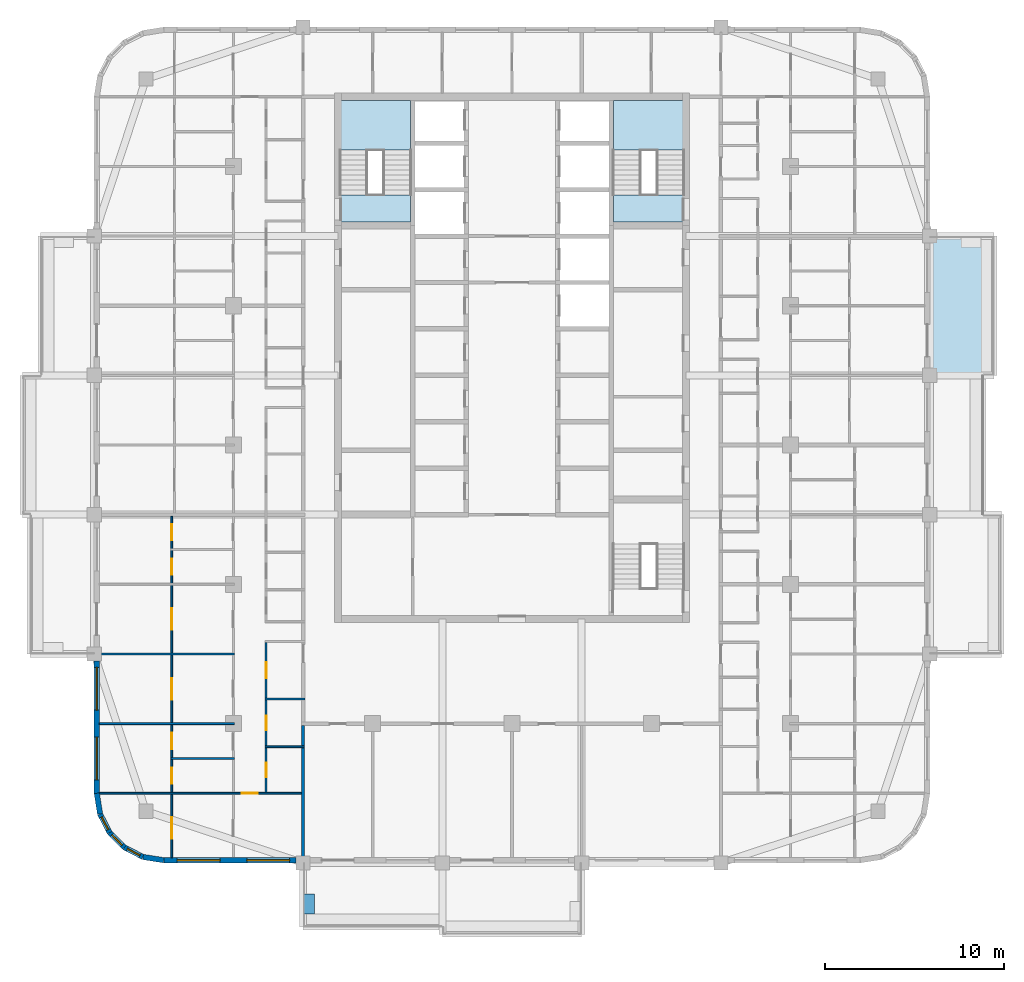
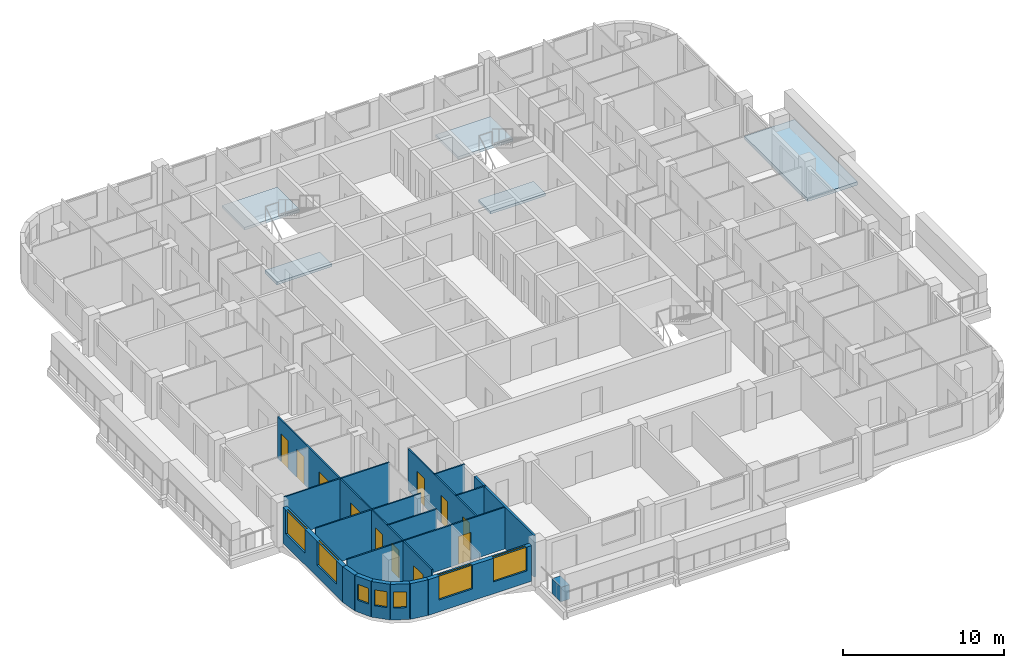
# One storey, part 2 of 16: 17 walls, 11 doors, 7 windows, 5 slabs, 18 openings, 2 elements without a shape of their own.
"""IFC4 building model written with IfcOpenShell, lengths in metres."""

from ifc_helpers import new_model, si_unit, direction, frame, frame_2d, origin, place, context, subcontext, project, spatial, polyline, rectangle, outline, extrude, material, layer, layer_set, type_object, element, fill, aggregate, save


model = new_model("IFC4")

# Units and contexts
model_context = context("Model", 3, precision=1e-05, world=origin(), true_north=direction((0.0, 1.0)))
body_context = subcontext(model_context, "Body", "Model", "MODEL_VIEW")
ifc_project = project(units=[si_unit("LENGTHUNIT", "METRE"), si_unit("AREAUNIT", "SQUARE_METRE"), si_unit("VOLUMEUNIT", "CUBIC_METRE"), si_unit("PLANEANGLEUNIT", "RADIAN"), si_unit("MASSUNIT", "GRAM", prefix="KILO")], contexts=[model_context])

# Site, building, storey
site_placement = place(None, origin())
site = spatial("IfcSite", under=ifc_project, at=site_placement, CompositionType="ELEMENT")
building_placement = place(site_placement, origin())
building = spatial("IfcBuilding", under=site, at=building_placement, Name="Ludao Terraces", CompositionType="ELEMENT")
storey_placement = place(building_placement, frame((0.0, 0.0, 214.300048828125)))
storey = spatial("IfcBuildingStorey", under=building, at=storey_placement, Name="L58", CompositionType="ELEMENT", Elevation=214.300048828125)

# Slab
ifc_material_1 = material(Name="Concrete C40", Category="concrete")
ifc_layer_1 = layer(ifc_material_1, 0.25)
ifc_layer_set_1 = layer_set([ifc_layer_1], Name="Balcony slab 250 C40")
slab_type_1 = type_object("IfcSlabType", Name="Balcony slab 250 C40", PredefinedType="USERDEFINED", material=ifc_layer_set_1)
slab_1_placement = place(storey_placement, frame((0.0, 0.0, -0.25)))
element("IfcSlab", 1, at=slab_1_placement, inside=storey, type_object=slab_type_1, Name="Balcony L58 E3", ObjectType="BALCONY", PredefinedType="USERDEFINED", context=body_context, shape_type="SweptSolid", body=[
    extrude(outline(polyline([(108.39990234375, 68.89990234375), (112.0, 68.89990234375), (112.0, 76.699951171875), (108.39990234375, 76.699951171875), (108.39990234375, 68.89990234375)])), origin(), (0.0, 0.0, 1.0), 0.25),
])

# Stair, slabs
stair_type = type_object("IfcStairType", Name="INT Stair", PredefinedType="HALF_TURN_STAIR", material=ifc_material_1)
stair_1_placement = place(storey_placement, origin())
stair_1 = element("IfcStair", 2, at=stair_1_placement, inside=storey, type_object=stair_type, Name="EXIT STAIR 1", PredefinedType="HALF_TURN_STAIR")
ifc_layer_2 = layer(ifc_material_1, 0.199951171875)
ifc_layer_set_2 = layer_set([ifc_layer_2], Name="INT Stair landing 200")
slab_type_2 = type_object("IfcSlabType", Name="INT Stair landing 200", PredefinedType="LANDING", material=ifc_layer_set_2)
slab_2_placement = place(storey_placement, frame((0.0, 0.0, 1.5)))
slab_2 = element("IfcSlab", 3, at=slab_2_placement, type_object=slab_type_2, Name="ST1 landing 1", PredefinedType="LANDING", context=body_context, shape_type="SweptSolid", body=[
    extrude(outline(polyline([(75.375, 81.52001953125), (79.324951171875, 81.52001953125), (79.324951171875, 84.300048828125), (75.375, 84.300048828125), (75.375, 81.52001953125)])), origin(), (0.0, 0.0, 1.0), 0.199951171875),
])
slab_3_placement = place(storey_placement, frame((0.0, 0.0, -0.199951171875)))
slab_3 = element("IfcSlab", 4, at=slab_3_placement, type_object=slab_type_2, Name="ST1 landing 2", PredefinedType="LANDING", context=body_context, shape_type="SweptSolid", body=[
    extrude(outline(polyline([(75.375, 77.5), (79.324951171875, 77.5), (79.324951171875, 79.0), (75.375, 79.0), (75.375, 77.5)])), origin(), (0.0, 0.0, 1.0), 0.199951171875),
])
aggregate(stair_1, [slab_2, slab_3])

stair_2_placement = place(storey_placement, origin())
stair_2 = element("IfcStair", 5, at=stair_2_placement, inside=storey, type_object=stair_type, Name="EXIT STAIR 2", PredefinedType="HALF_TURN_STAIR")
slab_4_placement = place(storey_placement, frame((0.0, 0.0, 1.5)))
slab_4 = element("IfcSlab", 6, at=slab_4_placement, type_object=slab_type_2, Name="ST2 landing 1", PredefinedType="LANDING", context=body_context, shape_type="SweptSolid", body=[
    extrude(outline(polyline([(90.675048828125, 81.52001953125), (94.625, 81.52001953125), (94.625, 84.300048828125), (90.675048828125, 84.300048828125), (90.675048828125, 81.52001953125)])), origin(), (0.0, 0.0, 1.0), 0.199951171875),
])
slab_5_placement = place(storey_placement, frame((0.0, 0.0, -0.199951171875)))
slab_5 = element("IfcSlab", 7, at=slab_5_placement, type_object=slab_type_2, Name="ST2 landing 2", PredefinedType="LANDING", context=body_context, shape_type="SweptSolid", body=[
    extrude(outline(polyline([(90.675048828125, 77.5), (94.625, 77.5), (94.625, 79.0), (90.675048828125, 79.0), (90.675048828125, 77.5)])), origin(), (0.0, 0.0, 1.0), 0.199951171875),
])
aggregate(stair_2, [slab_4, slab_5])

# Wall
ifc_layer_3 = layer(ifc_material_1, 0.60009765625)
ifc_layer_set_3 = layer_set([ifc_layer_3], Name="ENV Planter trough 600")
wall_type_1 = type_object("IfcWallType", Name="ENV Planter trough 600", PredefinedType="USERDEFINED", material=ifc_layer_set_3)
wall_1_placement = place(storey_placement, frame((73.64990234375, 38.75, 0.0), z_axis=(0.0, 0.0, 1.0), x_axis=(0.0, 1.0, 0.0)))
element("IfcWall", 8, at=wall_1_placement, inside=storey, type_object=wall_type_1, Name="PL-L58-S1-SA", ObjectType="PLANTER", PredefinedType="USERDEFINED", context=body_context, shape_type="SweptSolid", body=[
    extrude(rectangle(XDim=1.10009765625, YDim=0.60009765625, at=frame_2d((0.550048828125, 0.0))), origin(), (0.0, 0.0, 1.0), 1.099853515625),
])

# Wall, openings, windows
ifc_material_2 = material(Name="Granite cladding", Category="masonry")
ifc_layer_4 = layer(ifc_material_2, 0.0400390625, Category="stone")
ifc_material_3 = material(Name="Mineral wool")
ifc_layer_5 = layer(ifc_material_3, 0.06005859375)
ifc_layer_6 = layer(ifc_material_1, 0.199951171875, Category="concrete")
ifc_layer_set_4 = layer_set([ifc_layer_4, ifc_layer_5, ifc_layer_6], Name="ENV Stone-clad wall 300")
wall_type_2 = type_object("IfcWallType", Name="ENV Stone-clad wall 300", PredefinedType="SOLIDWALL", material=ifc_layer_set_4)
wall_2_placement = place(storey_placement, frame((65.5, 41.75, 0.0), z_axis=(0.0, 0.0, 1.0), x_axis=(1.0, 0.0, 0.0)))
wall_2 = element("IfcWall", 9, at=wall_2_placement, inside=storey, type_object=wall_type_2, Name="EW-L58-S1", PredefinedType="SOLIDWALL", context=body_context, shape_type="SweptSolid", body=[
    extrude(rectangle(XDim=7.39990234375, YDim=0.300048828125, at=frame_2d((3.699951171875, 0.0))), origin(), (0.0, 0.0, 1.0), 2.699951171875),
])
opening_1_placement = place(wall_2_placement, frame((0.75, 0.0, 0.89990234375)))
opening_1 = element("IfcOpeningElement", 10, at=opening_1_placement, cuts=wall_2, Name="Opening W1", PredefinedType="OPENING", context=body_context, shape_type="SweptSolid", body=[
    extrude(rectangle(XDim=2.39990234375, YDim=1.800048828125, at=frame_2d((1.199951171875, 0.89990234375))), frame((0.0, 0.16015625, 0.0), z_axis=(0.0, -1.0, 0.0), x_axis=(1.0, 0.0, 0.0)), (0.0, 0.0, 1.0), 0.320068359375),
])
opening_2_placement = place(wall_2_placement, frame((4.64990234375, 0.0, 0.89990234375)))
opening_2 = element("IfcOpeningElement", 11, at=opening_2_placement, cuts=wall_2, Name="Opening W1", PredefinedType="OPENING", context=body_context, shape_type="SweptSolid", body=[
    extrude(rectangle(XDim=2.39990234375, YDim=1.800048828125, at=frame_2d((1.199951171875, 0.89990234375))), frame((0.0, 0.16015625, 0.0), z_axis=(0.0, -1.0, 0.0), x_axis=(1.0, 0.0, 0.0)), (0.0, 0.0, 1.0), 0.320068359375),
])
ifc_material_4 = material(Name="Clear glass in aluminium frame", Category="aluminium")
ifc_layer_7 = layer(ifc_material_4, 0.06005859375)
ifc_layer_set_5 = layer_set([ifc_layer_7], Name="ENV Window W1 2400x1800")
window_type_1 = type_object("IfcWindowType", Name="ENV Window W1 2400x1800", PartitioningType="DOUBLE_PANEL_VERTICAL", PredefinedType="WINDOW", material=ifc_layer_set_5)
window_1_placement = place(opening_1_placement, origin())
window_1 = element("IfcWindow", 12, at=window_1_placement, inside=storey, type_object=window_type_1, Name="W-L58-S1-1", OverallHeight=1.800048828125, OverallWidth=2.39990234375, PartitioningType="DOUBLE_PANEL_VERTICAL", PredefinedType="WINDOW", context=body_context, shape_type="SweptSolid", body=[
    extrude(rectangle(XDim=2.39990234375, YDim=1.800048828125, at=frame_2d((1.199951171875, 0.89990234375))), frame((0.0, 0.030029296875, 0.0), z_axis=(0.0, -1.0, 0.0), x_axis=(1.0, 0.0, 0.0)), (0.0, 0.0, 1.0), 0.06005859375),
])
fill(opening_1, window_1)
window_2_placement = place(opening_2_placement, origin())
window_2 = element("IfcWindow", 13, at=window_2_placement, inside=storey, type_object=window_type_1, Name="W-L58-S1-2", OverallHeight=1.800048828125, OverallWidth=2.39990234375, PartitioningType="DOUBLE_PANEL_VERTICAL", PredefinedType="WINDOW", context=body_context, shape_type="SweptSolid", body=[
    extrude(rectangle(XDim=2.39990234375, YDim=1.800048828125, at=frame_2d((1.199951171875, 0.89990234375))), frame((0.0, 0.030029296875, 0.0), z_axis=(0.0, -1.0, 0.0), x_axis=(1.0, 0.0, 0.0)), (0.0, 0.0, 1.0), 0.06005859375),
])
fill(opening_2, window_2)

wall_3_placement = place(storey_placement, frame((61.75, 45.5, 0.0), z_axis=(0.0, 0.0, 1.0), x_axis=(0.0, 1.0, 0.0)))
wall_3 = element("IfcWall", 14, at=wall_3_placement, inside=storey, type_object=wall_type_2, Name="EW-L58-W1", PredefinedType="SOLIDWALL", context=body_context, shape_type="SweptSolid", body=[
    extrude(rectangle(XDim=7.39990234375, YDim=0.300048828125, at=frame_2d((3.699951171875, 0.0))), origin(), (0.0, 0.0, 1.0), 2.699951171875),
])
opening_3_placement = place(wall_3_placement, frame((0.75, 0.0, 0.89990234375)))
opening_3 = element("IfcOpeningElement", 15, at=opening_3_placement, cuts=wall_3, Name="Opening W1", PredefinedType="OPENING", context=body_context, shape_type="SweptSolid", body=[
    extrude(rectangle(XDim=2.39990234375, YDim=1.800048828125, at=frame_2d((1.199951171875, 0.89990234375))), frame((0.0, 0.16015625, 0.0), z_axis=(0.0, -1.0, 0.0), x_axis=(1.0, 0.0, 0.0)), (0.0, 0.0, 1.0), 0.320068359375),
])
opening_4_placement = place(wall_3_placement, frame((4.64990234375, 0.0, 0.89990234375)))
opening_4 = element("IfcOpeningElement", 16, at=opening_4_placement, cuts=wall_3, Name="Opening W1", PredefinedType="OPENING", context=body_context, shape_type="SweptSolid", body=[
    extrude(rectangle(XDim=2.39990234375, YDim=1.800048828125, at=frame_2d((1.199951171875, 0.89990234375))), frame((0.0, 0.16015625, 0.0), z_axis=(0.0, -1.0, 0.0), x_axis=(1.0, 0.0, 0.0)), (0.0, 0.0, 1.0), 0.320068359375),
])
window_3_placement = place(opening_3_placement, origin())
window_3 = element("IfcWindow", 17, at=window_3_placement, inside=storey, type_object=window_type_1, Name="W-L58-W1-1", OverallHeight=1.800048828125, OverallWidth=2.39990234375, PartitioningType="DOUBLE_PANEL_VERTICAL", PredefinedType="WINDOW", context=body_context, shape_type="SweptSolid", body=[
    extrude(rectangle(XDim=2.39990234375, YDim=1.800048828125, at=frame_2d((1.199951171875, 0.89990234375))), frame((0.0, 0.030029296875, 0.0), z_axis=(0.0, -1.0, 0.0), x_axis=(1.0, 0.0, 0.0)), (0.0, 0.0, 1.0), 0.06005859375),
])
fill(opening_3, window_3)
window_4_placement = place(opening_4_placement, origin())
window_4 = element("IfcWindow", 18, at=window_4_placement, inside=storey, type_object=window_type_1, Name="W-L58-W1-2", OverallHeight=1.800048828125, OverallWidth=2.39990234375, PartitioningType="DOUBLE_PANEL_VERTICAL", PredefinedType="WINDOW", context=body_context, shape_type="SweptSolid", body=[
    extrude(rectangle(XDim=2.39990234375, YDim=1.800048828125, at=frame_2d((1.199951171875, 0.89990234375))), frame((0.0, 0.030029296875, 0.0), z_axis=(0.0, -1.0, 0.0), x_axis=(1.0, 0.0, 0.0)), (0.0, 0.0, 1.0), 0.06005859375),
])
fill(opening_4, window_4)

# Wall
wall_4_placement = place(storey_placement, frame((61.75, 45.5, 0.0), z_axis=(0.0, 0.0, 1.0), x_axis=(0.156496880861, -0.987678452879, 0.0)))
element("IfcWall", 19, at=wall_4_placement, inside=storey, type_object=wall_type_2, Name="EW-L58-SW1", PredefinedType="SOLIDWALL", context=body_context, shape_type="SweptSolid", body=[
    extrude(rectangle(XDim=1.173095703125, YDim=0.300048828125, at=frame_2d((0.58642578125, 0.0))), origin(), (0.0, 0.0, 1.0), 2.699951171875),
])

# Wall, opening, window
wall_5_placement = place(storey_placement, frame((61.93359375, 44.34130859375, 0.0), z_axis=(0.0, 0.0, 1.0), x_axis=(0.454025524128, -0.890988677504, 0.0)))
wall_5 = element("IfcWall", 20, at=wall_5_placement, inside=storey, type_object=wall_type_2, Name="EW-L58-SW2", PredefinedType="SOLIDWALL", context=body_context, shape_type="SweptSolid", body=[
    extrude(rectangle(XDim=1.17333984375, YDim=0.300048828125, at=frame_2d((0.586669921875, 0.0))), origin(), (0.0, 0.0, 1.0), 2.699951171875),
])
opening_5_placement = place(wall_5_placement, frame((0.1865234375, 0.0, 0.89990234375)))
opening_5 = element("IfcOpeningElement", 21, at=opening_5_placement, cuts=wall_5, Name="Opening W3", PredefinedType="OPENING", context=body_context, shape_type="SweptSolid", body=[
    extrude(rectangle(XDim=0.800048828125, YDim=1.199951171875, at=frame_2d((0.39990234375, 0.60009765625))), frame((0.0, 0.16015625, 0.0), z_axis=(0.0, -1.0, 0.0), x_axis=(1.0, 0.0, 0.0)), (0.0, 0.0, 1.0), 0.320068359375),
])
ifc_layer_8 = layer(ifc_material_4, 0.06005859375)
ifc_layer_set_6 = layer_set([ifc_layer_8], Name="ENV Window W3 800x1200")
window_type_2 = type_object("IfcWindowType", Name="ENV Window W3 800x1200", PartitioningType="SINGLE_PANEL", PredefinedType="WINDOW", material=ifc_layer_set_6)
window_5_placement = place(opening_5_placement, origin())
window_5 = element("IfcWindow", 22, at=window_5_placement, inside=storey, type_object=window_type_2, Name="W-L58-SW2", OverallHeight=1.199951171875, OverallWidth=0.800048828125, PartitioningType="SINGLE_PANEL", PredefinedType="WINDOW", context=body_context, shape_type="SweptSolid", body=[
    extrude(rectangle(XDim=0.800048828125, YDim=1.199951171875, at=frame_2d((0.39990234375, 0.60009765625))), frame((0.0, 0.030029296875, 0.0), z_axis=(0.0, -1.0, 0.0), x_axis=(1.0, 0.0, 0.0)), (0.0, 0.0, 1.0), 0.06005859375),
])
fill(opening_5, window_5)

wall_6_placement = place(storey_placement, frame((62.46630859375, 43.2958984375, 0.0), z_axis=(0.0, 0.0, 1.0), x_axis=(0.707106781187, -0.707106781187, 0.0)))
wall_6 = element("IfcWall", 23, at=wall_6_placement, inside=storey, type_object=wall_type_2, Name="EW-L58-SW3", PredefinedType="SOLIDWALL", context=body_context, shape_type="SweptSolid", body=[
    extrude(rectangle(XDim=1.173095703125, YDim=0.300048828125, at=frame_2d((0.58642578125, 0.0))), origin(), (0.0, 0.0, 1.0), 2.699951171875),
])
opening_6_placement = place(wall_6_placement, frame((0.1865234375, 0.0, 0.89990234375)))
opening_6 = element("IfcOpeningElement", 24, at=opening_6_placement, cuts=wall_6, Name="Opening W3", PredefinedType="OPENING", context=body_context, shape_type="SweptSolid", body=[
    extrude(rectangle(XDim=0.800048828125, YDim=1.199951171875, at=frame_2d((0.39990234375, 0.60009765625))), frame((0.0, 0.16015625, 0.0), z_axis=(0.0, -1.0, 0.0), x_axis=(1.0, 0.0, 0.0)), (0.0, 0.0, 1.0), 0.320068359375),
])
window_6_placement = place(opening_6_placement, origin())
window_6 = element("IfcWindow", 25, at=window_6_placement, inside=storey, type_object=window_type_2, Name="W-L58-SW3", OverallHeight=1.199951171875, OverallWidth=0.800048828125, PartitioningType="SINGLE_PANEL", PredefinedType="WINDOW", context=body_context, shape_type="SweptSolid", body=[
    extrude(rectangle(XDim=0.800048828125, YDim=1.199951171875, at=frame_2d((0.39990234375, 0.60009765625))), frame((0.0, 0.030029296875, 0.0), z_axis=(0.0, -1.0, 0.0), x_axis=(1.0, 0.0, 0.0)), (0.0, 0.0, 1.0), 0.06005859375),
])
fill(opening_6, window_6)

wall_7_placement = place(storey_placement, frame((63.2958984375, 42.46630859375, 0.0), z_axis=(0.0, 0.0, 1.0), x_axis=(0.890988677504, -0.454025524128, 0.0)))
wall_7 = element("IfcWall", 26, at=wall_7_placement, inside=storey, type_object=wall_type_2, Name="EW-L58-SW4", PredefinedType="SOLIDWALL", context=body_context, shape_type="SweptSolid", body=[
    extrude(rectangle(XDim=1.17333984375, YDim=0.300048828125, at=frame_2d((0.586669921875, 0.0))), origin(), (0.0, 0.0, 1.0), 2.699951171875),
])
opening_7_placement = place(wall_7_placement, frame((0.1865234375, 0.0, 0.89990234375)))
opening_7 = element("IfcOpeningElement", 27, at=opening_7_placement, cuts=wall_7, Name="Opening W3", PredefinedType="OPENING", context=body_context, shape_type="SweptSolid", body=[
    extrude(rectangle(XDim=0.800048828125, YDim=1.199951171875, at=frame_2d((0.39990234375, 0.60009765625))), frame((0.0, 0.16015625, 0.0), z_axis=(0.0, -1.0, 0.0), x_axis=(1.0, 0.0, 0.0)), (0.0, 0.0, 1.0), 0.320068359375),
])
window_7_placement = place(opening_7_placement, origin())
window_7 = element("IfcWindow", 28, at=window_7_placement, inside=storey, type_object=window_type_2, Name="W-L58-SW4", OverallHeight=1.199951171875, OverallWidth=0.800048828125, PartitioningType="SINGLE_PANEL", PredefinedType="WINDOW", context=body_context, shape_type="SweptSolid", body=[
    extrude(rectangle(XDim=0.800048828125, YDim=1.199951171875, at=frame_2d((0.39990234375, 0.60009765625))), frame((0.0, 0.030029296875, 0.0), z_axis=(0.0, -1.0, 0.0), x_axis=(1.0, 0.0, 0.0)), (0.0, 0.0, 1.0), 0.06005859375),
])
fill(opening_7, window_7)

# Wall
wall_8_placement = place(storey_placement, frame((64.34130859375, 41.93359375, 0.0), z_axis=(0.0, 0.0, 1.0), x_axis=(0.987678452879, -0.156496880861, 0.0)))
element("IfcWall", 29, at=wall_8_placement, inside=storey, type_object=wall_type_2, Name="EW-L58-SW5", PredefinedType="SOLIDWALL", context=body_context, shape_type="SweptSolid", body=[
    extrude(rectangle(XDim=1.173095703125, YDim=0.300048828125, at=frame_2d((0.58642578125, 0.0))), origin(), (0.0, 0.0, 1.0), 2.699951171875),
])

# Wall, opening, door
ifc_material_5 = material(Name="Gypsum plasterboard", Category="gypsum")
ifc_layer_9 = layer(ifc_material_5, 0.012451171875, Category="gypsum")
ifc_layer_10 = layer(ifc_material_3, 0.06005859375, Name="insulation")
ifc_material_6 = material(Name="Steel Q235", Category="steel")
ifc_layer_11 = layer(ifc_material_6, 0.014892578125, Name="stud")
ifc_layer_12 = layer(ifc_material_5, 0.012451171875, Category="gypsum")
ifc_layer_set_7 = layer_set([ifc_layer_9, ifc_layer_10, ifc_layer_11, ifc_layer_12], Name="INT Partition 100")
wall_type_3 = type_object("IfcWallType", Name="INT Partition 100", PredefinedType="PARTITIONING", material=ifc_layer_set_7)
wall_9_placement = place(storey_placement, frame((61.900146484375, 45.5, 0.0), z_axis=(0.0, 0.0, 1.0), x_axis=(1.0, 0.0, 0.0)))
wall_9 = element("IfcWall", 30, at=wall_9_placement, inside=storey, type_object=wall_type_3, Name="PW-L58-PW000", PredefinedType="PARTITIONING", context=body_context, shape_type="SweptSolid", body=[
    extrude(rectangle(XDim=11.474853515625, YDim=0.10009765625, at=frame_2d((5.7373046875, 0.0))), origin(), (0.0, 0.0, 1.0), 3.14990234375),
])
opening_8_placement = place(wall_9_placement, frame((7.965087890625, 0.0, 0.0)))
opening_8 = element("IfcOpeningElement", 31, at=opening_8_placement, cuts=wall_9, Name="Opening R21-005", PredefinedType="OPENING", context=body_context, shape_type="SweptSolid", body=[
    extrude(rectangle(XDim=0.89990234375, YDim=2.10009765625, at=frame_2d((0.449951171875, 1.050048828125))), frame((0.0, 0.06005859375, 0.0), z_axis=(0.0, -1.0, 0.0), x_axis=(1.0, 0.0, 0.0)), (0.0, 0.0, 1.0), 0.1201171875),
])
ifc_material_7 = material(Name="Timber door leaf", Category="wood")
door_type_1 = type_object("IfcDoorType", Name="INT Room door 900", OperationType="SINGLE_SWING_LEFT", PredefinedType="DOOR", material=ifc_material_7)
door_1_placement = place(opening_8_placement, origin())
door_1 = element("IfcDoor", 32, at=door_1_placement, inside=storey, type_object=door_type_1, Name="DOOR 005", OperationType="SINGLE_SWING_LEFT", OverallHeight=2.10009765625, OverallWidth=0.89990234375, PredefinedType="DOOR", context=body_context, shape_type="SweptSolid", body=[
    extrude(rectangle(XDim=0.89990234375, YDim=2.10009765625, at=frame_2d((0.449951171875, 1.050048828125))), frame((0.0, 0.02490234375, 0.0), z_axis=(0.0, -1.0, 0.0), x_axis=(1.0, 0.0, 0.0)), (0.0, 0.0, 1.0), 0.050048828125),
])
fill(opening_8, door_1)

# Walls
wall_10_placement = place(storey_placement, frame((65.900146484375, 47.449951171875, 0.0), z_axis=(0.0, 0.0, 1.0), x_axis=(1.0, 0.0, 0.0)))
element("IfcWall", 33, at=wall_10_placement, inside=storey, type_object=wall_type_3, Name="PW-L58-PW002", PredefinedType="PARTITIONING", context=body_context, shape_type="SweptSolid", body=[
    extrude(rectangle(XDim=3.550048828125, YDim=0.10009765625, at=frame_2d((1.77490234375, 0.0))), origin(), (0.0, 0.0, 1.0), 3.14990234375),
])
wall_11_placement = place(storey_placement, frame((71.18017578125, 48.10009765625, 0.0), z_axis=(0.0, 0.0, 1.0), x_axis=(1.0, 0.0, 0.0)))
element("IfcWall", 34, at=wall_11_placement, inside=storey, type_object=wall_type_3, Name="PW-L58-PW004", PredefinedType="PARTITIONING", context=body_context, shape_type="SweptSolid", body=[
    extrude(rectangle(XDim=2.19482421875, YDim=0.10009765625, at=frame_2d((1.097412109375, 0.0))), origin(), (0.0, 0.0, 1.0), 3.14990234375),
])
wall_12_placement = place(storey_placement, frame((61.900146484375, 49.39990234375, 0.0), z_axis=(0.0, 0.0, 1.0), x_axis=(1.0, 0.0, 0.0)))
element("IfcWall", 35, at=wall_12_placement, inside=storey, type_object=wall_type_3, Name="PW-L58-PW006", PredefinedType="PARTITIONING", context=body_context, shape_type="SweptSolid", body=[
    extrude(rectangle(XDim=7.550048828125, YDim=0.10009765625, at=frame_2d((3.77490234375, 0.0))), origin(), (0.0, 0.0, 1.0), 3.14990234375),
])
wall_13_placement = place(storey_placement, frame((71.18017578125, 50.780029296875, 0.0), z_axis=(0.0, 0.0, 1.0), x_axis=(1.0, 0.0, 0.0)))
element("IfcWall", 36, at=wall_13_placement, inside=storey, type_object=wall_type_3, Name="PW-L58-PW010", PredefinedType="PARTITIONING", context=body_context, shape_type="SweptSolid", body=[
    extrude(rectangle(XDim=2.219970703125, YDim=0.10009765625, at=frame_2d((1.10986328125, 0.0))), origin(), (0.0, 0.0, 1.0), 3.14990234375),
])
wall_14_placement = place(storey_placement, frame((61.900146484375, 53.300048828125, 0.0), z_axis=(0.0, 0.0, 1.0), x_axis=(1.0, 0.0, 0.0)))
element("IfcWall", 37, at=wall_14_placement, inside=storey, type_object=wall_type_3, Name="PW-L58-PW012", PredefinedType="PARTITIONING", context=body_context, shape_type="SweptSolid", body=[
    extrude(rectangle(XDim=7.550048828125, YDim=0.10009765625, at=frame_2d((3.77490234375, 0.0))), origin(), (0.0, 0.0, 1.0), 3.14990234375),
])

# Wall, openings, doors
wall_15_placement = place(storey_placement, frame((65.949951171875, 41.900146484375, 0.0), z_axis=(0.0, 0.0, 1.0), x_axis=(0.0, 1.0, 0.0)))
wall_15 = element("IfcWall", 38, at=wall_15_placement, inside=storey, type_object=wall_type_3, Name="PW-L58-PW070", PredefinedType="PARTITIONING", context=body_context, shape_type="SweptSolid", body=[
    extrude(rectangle(XDim=19.099853515625, YDim=0.10009765625, at=frame_2d((9.5498046875, 0.0))), origin(), (0.0, 0.0, 1.0), 3.14990234375),
])
opening_9_placement = place(wall_15_placement, frame((1.050048828125, 0.0, 0.0)))
opening_9 = element("IfcOpeningElement", 39, at=opening_9_placement, cuts=wall_15, Name="Opening R21-001", PredefinedType="OPENING", context=body_context, shape_type="SweptSolid", body=[
    extrude(rectangle(XDim=1.199951171875, YDim=2.10009765625, at=frame_2d((0.60009765625, 1.050048828125))), frame((0.0, 0.06005859375, 0.0), z_axis=(0.0, -1.0, 0.0), x_axis=(1.0, 0.0, 0.0)), (0.0, 0.0, 1.0), 0.1201171875),
])
opening_10_placement = place(wall_15_placement, frame((4.125, 0.0, 0.0)))
opening_10 = element("IfcOpeningElement", 40, at=opening_10_placement, cuts=wall_15, Name="Opening R21-007", PredefinedType="OPENING", context=body_context, shape_type="SweptSolid", body=[
    extrude(rectangle(XDim=0.89990234375, YDim=2.10009765625, at=frame_2d((0.449951171875, 1.050048828125))), frame((0.0, 0.06005859375, 0.0), z_axis=(0.0, -1.0, 0.0), x_axis=(1.0, 0.0, 0.0)), (0.0, 0.0, 1.0), 0.1201171875),
])
opening_11_placement = place(wall_15_placement, frame((6.074951171875, 0.0, 0.0)))
opening_11 = element("IfcOpeningElement", 41, at=opening_11_placement, cuts=wall_15, Name="Opening R21-013", PredefinedType="OPENING", context=body_context, shape_type="SweptSolid", body=[
    extrude(rectangle(XDim=0.89990234375, YDim=2.10009765625, at=frame_2d((0.449951171875, 1.050048828125))), frame((0.0, 0.06005859375, 0.0), z_axis=(0.0, -1.0, 0.0), x_axis=(1.0, 0.0, 0.0)), (0.0, 0.0, 1.0), 0.1201171875),
])
opening_12_placement = place(wall_15_placement, frame((8.85009765625, 0.0, 0.0)))
opening_12 = element("IfcOpeningElement", 42, at=opening_12_placement, cuts=wall_15, Name="Opening R21-022", PredefinedType="OPENING", context=body_context, shape_type="SweptSolid", body=[
    extrude(rectangle(XDim=1.199951171875, YDim=2.10009765625, at=frame_2d((0.60009765625, 1.050048828125))), frame((0.0, 0.06005859375, 0.0), z_axis=(0.0, -1.0, 0.0), x_axis=(1.0, 0.0, 0.0)), (0.0, 0.0, 1.0), 0.1201171875),
])
opening_13_placement = place(wall_15_placement, frame((12.75, 0.0, 0.0)))
opening_13 = element("IfcOpeningElement", 43, at=opening_13_placement, cuts=wall_15, Name="Opening R21-031", PredefinedType="OPENING", context=body_context, shape_type="SweptSolid", body=[
    extrude(rectangle(XDim=1.199951171875, YDim=2.10009765625, at=frame_2d((0.60009765625, 1.050048828125))), frame((0.0, 0.06005859375, 0.0), z_axis=(0.0, -1.0, 0.0), x_axis=(1.0, 0.0, 0.0)), (0.0, 0.0, 1.0), 0.1201171875),
])
opening_14_placement = place(wall_15_placement, frame((15.824951171875, 0.0, 0.0)))
opening_14 = element("IfcOpeningElement", 44, at=opening_14_placement, cuts=wall_15, Name="Opening R21-043", PredefinedType="OPENING", context=body_context, shape_type="SweptSolid", body=[
    extrude(rectangle(XDim=0.89990234375, YDim=2.10009765625, at=frame_2d((0.449951171875, 1.050048828125))), frame((0.0, 0.06005859375, 0.0), z_axis=(0.0, -1.0, 0.0), x_axis=(1.0, 0.0, 0.0)), (0.0, 0.0, 1.0), 0.1201171875),
])
opening_15_placement = place(wall_15_placement, frame((17.77490234375, 0.0, 0.0)))
opening_15 = element("IfcOpeningElement", 45, at=opening_15_placement, cuts=wall_15, Name="Opening R21-047", PredefinedType="OPENING", context=body_context, shape_type="SweptSolid", body=[
    extrude(rectangle(XDim=0.89990234375, YDim=2.10009765625, at=frame_2d((0.449951171875, 1.050048828125))), frame((0.0, 0.06005859375, 0.0), z_axis=(0.0, -1.0, 0.0), x_axis=(1.0, 0.0, 0.0)), (0.0, 0.0, 1.0), 0.1201171875),
])
door_type_2 = type_object("IfcDoorType", Name="INT Bathroom door 900", OperationType="SINGLE_SWING_LEFT", PredefinedType="DOOR", material=ifc_material_7)
door_2_placement = place(opening_10_placement, origin())
door_2 = element("IfcDoor", 46, at=door_2_placement, inside=storey, type_object=door_type_2, Name="DOOR 007", OperationType="SINGLE_SWING_LEFT", OverallHeight=2.10009765625, OverallWidth=0.89990234375, PredefinedType="DOOR", context=body_context, shape_type="SweptSolid", body=[
    extrude(rectangle(XDim=0.89990234375, YDim=2.10009765625, at=frame_2d((0.449951171875, 1.050048828125))), frame((0.0, 0.02490234375, 0.0), z_axis=(0.0, -1.0, 0.0), x_axis=(1.0, 0.0, 0.0)), (0.0, 0.0, 1.0), 0.050048828125),
])
fill(opening_10, door_2)
door_3_placement = place(opening_14_placement, origin())
door_3 = element("IfcDoor", 47, at=door_3_placement, inside=storey, type_object=door_type_2, Name="DOOR 043", OperationType="SINGLE_SWING_LEFT", OverallHeight=2.10009765625, OverallWidth=0.89990234375, PredefinedType="DOOR", context=body_context, shape_type="SweptSolid", body=[
    extrude(rectangle(XDim=0.89990234375, YDim=2.10009765625, at=frame_2d((0.449951171875, 1.050048828125))), frame((0.0, 0.02490234375, 0.0), z_axis=(0.0, -1.0, 0.0), x_axis=(1.0, 0.0, 0.0)), (0.0, 0.0, 1.0), 0.050048828125),
])
fill(opening_14, door_3)
door_type_3 = type_object("IfcDoorType", Name="INT Double door 1200", OperationType="DOUBLE_DOOR_SINGLE_SWING", PredefinedType="DOOR", material=ifc_material_7)
door_4_placement = place(opening_9_placement, origin())
door_4 = element("IfcDoor", 48, at=door_4_placement, inside=storey, type_object=door_type_3, Name="DOOR 001", OperationType="DOUBLE_DOOR_SINGLE_SWING", OverallHeight=2.10009765625, OverallWidth=1.199951171875, PredefinedType="DOOR", context=body_context, shape_type="SweptSolid", body=[
    extrude(rectangle(XDim=1.199951171875, YDim=2.10009765625, at=frame_2d((0.60009765625, 1.050048828125))), frame((0.0, 0.02490234375, 0.0), z_axis=(0.0, -1.0, 0.0), x_axis=(1.0, 0.0, 0.0)), (0.0, 0.0, 1.0), 0.050048828125),
])
fill(opening_9, door_4)
door_5_placement = place(opening_12_placement, origin())
door_5 = element("IfcDoor", 49, at=door_5_placement, inside=storey, type_object=door_type_3, Name="DOOR 022", OperationType="DOUBLE_DOOR_SINGLE_SWING", OverallHeight=2.10009765625, OverallWidth=1.199951171875, PredefinedType="DOOR", context=body_context, shape_type="SweptSolid", body=[
    extrude(rectangle(XDim=1.199951171875, YDim=2.10009765625, at=frame_2d((0.60009765625, 1.050048828125))), frame((0.0, 0.02490234375, 0.0), z_axis=(0.0, -1.0, 0.0), x_axis=(1.0, 0.0, 0.0)), (0.0, 0.0, 1.0), 0.050048828125),
])
fill(opening_12, door_5)
door_6_placement = place(opening_13_placement, origin())
door_6 = element("IfcDoor", 50, at=door_6_placement, inside=storey, type_object=door_type_3, Name="DOOR 031", OperationType="DOUBLE_DOOR_SINGLE_SWING", OverallHeight=2.10009765625, OverallWidth=1.199951171875, PredefinedType="DOOR", context=body_context, shape_type="SweptSolid", body=[
    extrude(rectangle(XDim=1.199951171875, YDim=2.10009765625, at=frame_2d((0.60009765625, 1.050048828125))), frame((0.0, 0.02490234375, 0.0), z_axis=(0.0, -1.0, 0.0), x_axis=(1.0, 0.0, 0.0)), (0.0, 0.0, 1.0), 0.050048828125),
])
fill(opening_13, door_6)
door_7_placement = place(opening_11_placement, origin())
door_7 = element("IfcDoor", 51, at=door_7_placement, inside=storey, type_object=door_type_1, Name="DOOR 013", OperationType="SINGLE_SWING_RIGHT", OverallHeight=2.10009765625, OverallWidth=0.89990234375, PredefinedType="DOOR", context=body_context, shape_type="SweptSolid", body=[
    extrude(rectangle(XDim=0.89990234375, YDim=2.10009765625, at=frame_2d((0.449951171875, 1.050048828125))), frame((0.0, 0.02490234375, 0.0), z_axis=(0.0, -1.0, 0.0), x_axis=(1.0, 0.0, 0.0)), (0.0, 0.0, 1.0), 0.050048828125),
])
fill(opening_11, door_7)
door_8_placement = place(opening_15_placement, origin())
door_8 = element("IfcDoor", 52, at=door_8_placement, inside=storey, type_object=door_type_1, Name="DOOR 047", OperationType="SINGLE_SWING_LEFT", OverallHeight=2.10009765625, OverallWidth=0.89990234375, PredefinedType="DOOR", context=body_context, shape_type="SweptSolid", body=[
    extrude(rectangle(XDim=0.89990234375, YDim=2.10009765625, at=frame_2d((0.449951171875, 1.050048828125))), frame((0.0, 0.02490234375, 0.0), z_axis=(0.0, -1.0, 0.0), x_axis=(1.0, 0.0, 0.0)), (0.0, 0.0, 1.0), 0.050048828125),
])
fill(opening_15, door_8)

wall_16_placement = place(storey_placement, frame((71.22998046875, 45.550048828125, 0.0), z_axis=(0.0, 0.0, 1.0), x_axis=(0.0, 1.0, 0.0)))
wall_16 = element("IfcWall", 53, at=wall_16_placement, inside=storey, type_object=wall_type_3, Name="PW-L58-PW073", PredefinedType="PARTITIONING", context=body_context, shape_type="SweptSolid", body=[
    extrude(rectangle(XDim=8.400146484375, YDim=0.10009765625, at=frame_2d((4.2001953125, 0.0))), origin(), (0.0, 0.0, 1.0), 3.14990234375),
])
opening_16_placement = place(wall_16_placement, frame((0.85009765625, 0.0, 0.0)))
opening_16 = element("IfcOpeningElement", 54, at=opening_16_placement, cuts=wall_16, Name="Opening R21-009", PredefinedType="OPENING", context=body_context, shape_type="SweptSolid", body=[
    extrude(rectangle(XDim=0.800048828125, YDim=2.10009765625, at=frame_2d((0.39990234375, 1.050048828125))), frame((0.0, 0.06005859375, 0.0), z_axis=(0.0, -1.0, 0.0), x_axis=(1.0, 0.0, 0.0)), (0.0, 0.0, 1.0), 0.1201171875),
])
opening_17_placement = place(wall_16_placement, frame((3.489990234375, 0.0, 0.0)))
opening_17 = element("IfcOpeningElement", 55, at=opening_17_placement, cuts=wall_16, Name="Opening R21-020", PredefinedType="OPENING", context=body_context, shape_type="SweptSolid", body=[
    extrude(rectangle(XDim=0.800048828125, YDim=2.10009765625, at=frame_2d((0.39990234375, 1.050048828125))), frame((0.0, 0.06005859375, 0.0), z_axis=(0.0, -1.0, 0.0), x_axis=(1.0, 0.0, 0.0)), (0.0, 0.0, 1.0), 0.1201171875),
])
opening_18_placement = place(wall_16_placement, frame((6.389892578125, 0.0, 0.0)))
opening_18 = element("IfcOpeningElement", 56, at=opening_18_placement, cuts=wall_16, Name="Opening R21-026", PredefinedType="OPENING", context=body_context, shape_type="SweptSolid", body=[
    extrude(rectangle(XDim=0.89990234375, YDim=2.10009765625, at=frame_2d((0.449951171875, 1.050048828125))), frame((0.0, 0.06005859375, 0.0), z_axis=(0.0, -1.0, 0.0), x_axis=(1.0, 0.0, 0.0)), (0.0, 0.0, 1.0), 0.1201171875),
])
door_9_placement = place(opening_18_placement, origin())
door_9 = element("IfcDoor", 57, at=door_9_placement, inside=storey, type_object=door_type_1, Name="DOOR 026", OperationType="SINGLE_SWING_RIGHT", OverallHeight=2.10009765625, OverallWidth=0.89990234375, PredefinedType="DOOR", context=body_context, shape_type="SweptSolid", body=[
    extrude(rectangle(XDim=0.89990234375, YDim=2.10009765625, at=frame_2d((0.449951171875, 1.050048828125))), frame((0.0, 0.02490234375, 0.0), z_axis=(0.0, -1.0, 0.0), x_axis=(1.0, 0.0, 0.0)), (0.0, 0.0, 1.0), 0.050048828125),
])
fill(opening_18, door_9)
door_type_4 = type_object("IfcDoorType", Name="INT Store door 800", OperationType="SINGLE_SWING_LEFT", PredefinedType="DOOR", material=ifc_material_7)
door_10_placement = place(opening_16_placement, origin())
door_10 = element("IfcDoor", 58, at=door_10_placement, inside=storey, type_object=door_type_4, Name="DOOR 009", OperationType="SINGLE_SWING_LEFT", OverallHeight=2.10009765625, OverallWidth=0.800048828125, PredefinedType="DOOR", context=body_context, shape_type="SweptSolid", body=[
    extrude(rectangle(XDim=0.800048828125, YDim=2.10009765625, at=frame_2d((0.39990234375, 1.050048828125))), frame((0.0, 0.02490234375, 0.0), z_axis=(0.0, -1.0, 0.0), x_axis=(1.0, 0.0, 0.0)), (0.0, 0.0, 1.0), 0.050048828125),
])
fill(opening_16, door_10)
door_11_placement = place(opening_17_placement, origin())
door_11 = element("IfcDoor", 59, at=door_11_placement, inside=storey, type_object=door_type_4, Name="DOOR 020", OperationType="SINGLE_SWING_RIGHT", OverallHeight=2.10009765625, OverallWidth=0.800048828125, PredefinedType="DOOR", context=body_context, shape_type="SweptSolid", body=[
    extrude(rectangle(XDim=0.800048828125, YDim=2.10009765625, at=frame_2d((0.39990234375, 1.050048828125))), frame((0.0, 0.02490234375, 0.0), z_axis=(0.0, -1.0, 0.0), x_axis=(1.0, 0.0, 0.0)), (0.0, 0.0, 1.0), 0.050048828125),
])
fill(opening_17, door_11)

# Wall
ifc_material_8 = material(Name="Autoclaved aerated concrete block B06 A3.5", Category="concrete")
ifc_layer_13 = layer(ifc_material_8, 0.14990234375)
ifc_layer_set_8 = layer_set([ifc_layer_13], Name="INT Party wall 150")
wall_type_4 = type_object("IfcWallType", Name="INT Party wall 150", PredefinedType="PARTITIONING", material=ifc_layer_set_8)
wall_17_placement = place(storey_placement, frame((73.300048828125, 41.900146484375, 0.0), z_axis=(0.0, 0.0, 1.0), x_axis=(0.0, 1.0, 0.0)))
element("IfcWall", 60, at=wall_17_placement, inside=storey, type_object=wall_type_4, Name="PW-L58-PW077", PredefinedType="PARTITIONING", context=body_context, shape_type="SweptSolid", body=[
    extrude(rectangle(XDim=7.39990234375, YDim=0.14990234375, at=frame_2d((3.699951171875, 0.0))), origin(), (0.0, 0.0, 1.0), 3.14990234375),
])

save(model, "model.ifc")
